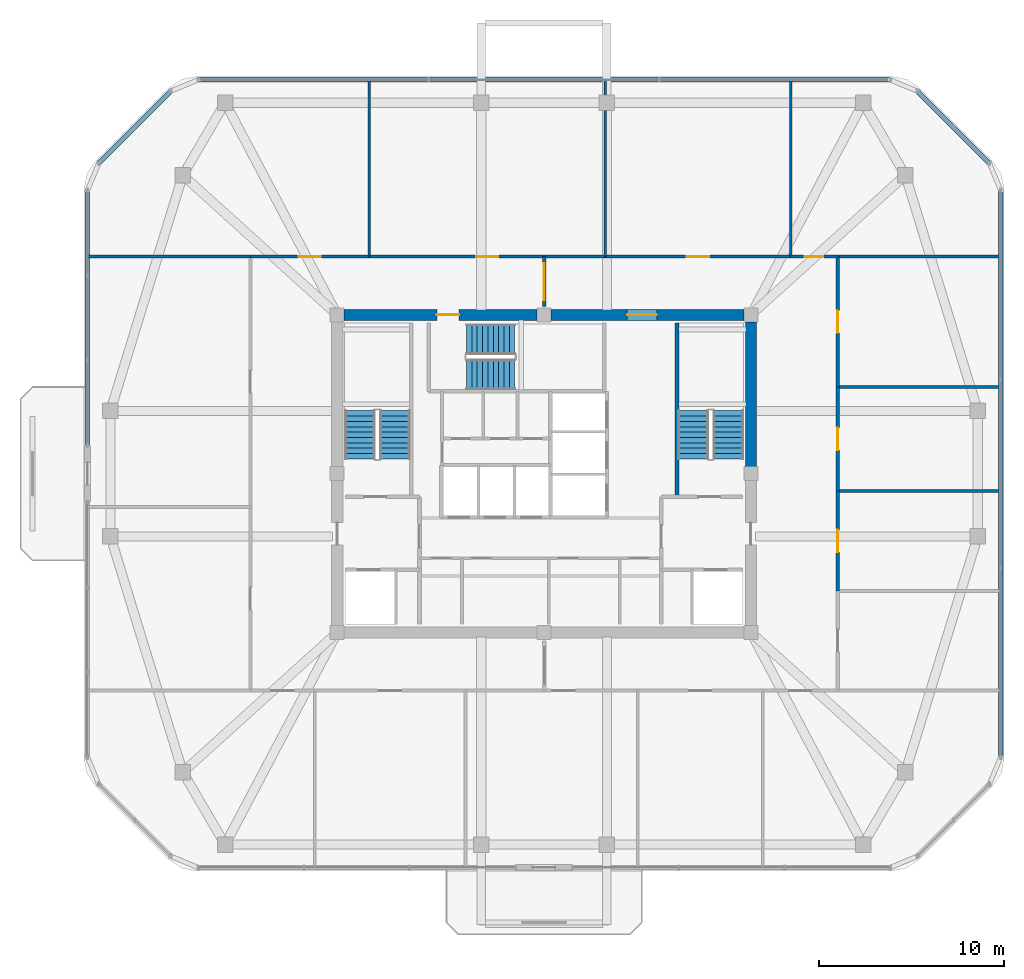
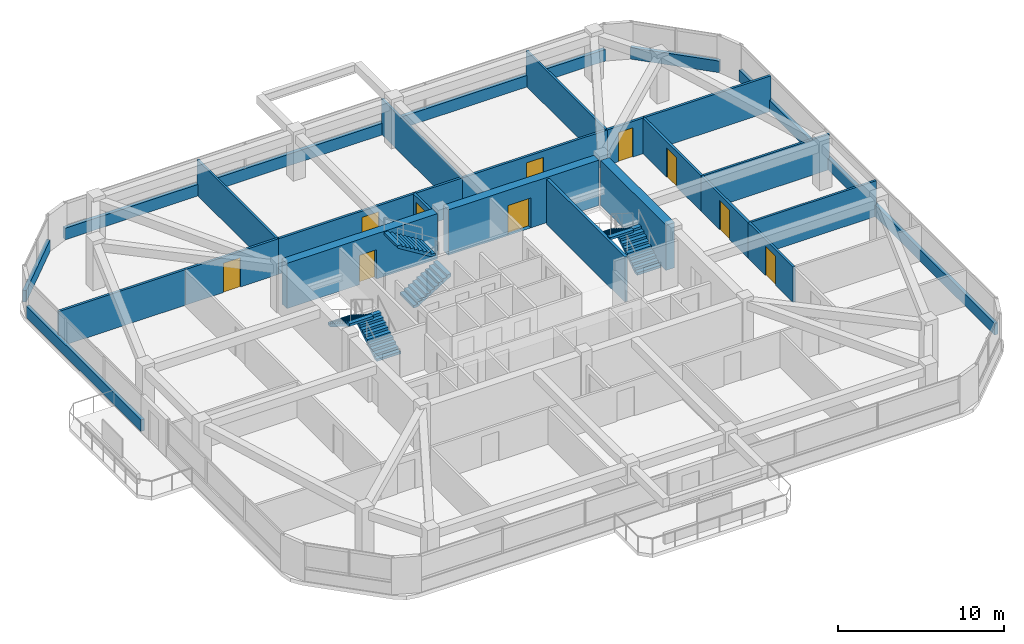
# One storey, part 10 of 12: 24 walls, 10 doors, 6 stair flights, 10 openings, 3 elements without a shape of their own.
"""IFC4 building model written with IfcOpenShell, lengths in metres."""

from ifc_helpers import new_model, si_unit, derived_unit, direction, frame, frame_2d, origin, place, context, subcontext, project, spatial, polyline, rectangle, outline, extrude, material, layer, layer_set, type_object, element, fill, aggregate, save


model = new_model("IFC4")

# Units and contexts
model_context = context("Model", 3, precision=1e-05, world=origin(), true_north=direction((0.0, 1.0)))
body_context = subcontext(model_context, "Body", "Model", "MODEL_VIEW")
ifc_project = project(units=[si_unit("LENGTHUNIT", "METRE"), si_unit("AREAUNIT", "SQUARE_METRE"), si_unit("VOLUMEUNIT", "CUBIC_METRE"), si_unit("PLANEANGLEUNIT", "RADIAN"), si_unit("MASSUNIT", "GRAM", prefix="KILO"), derived_unit("THERMALTRANSMITTANCEUNIT", [(si_unit("POWERUNIT", "WATT"), 1), (si_unit("LENGTHUNIT", "METRE"), -2), (si_unit("THERMODYNAMICTEMPERATUREUNIT", "KELVIN"), -1)])], contexts=[model_context])

# Site, building, storey
site_placement = place(None, origin())
site = spatial("IfcSite", under=ifc_project, at=site_placement, CompositionType="ELEMENT")
building_placement = place(site_placement, origin())
building = spatial("IfcBuilding", under=site, at=building_placement, Name="Koralith Skygarden Medical Center", CompositionType="ELEMENT")
storey_placement = place(building_placement, frame((0.0, 0.0, 278.820068359375)))
storey = spatial("IfcBuildingStorey", under=building, at=storey_placement, Name="L72", CompositionType="ELEMENT", Elevation=278.820068359375)

# Walls
ifc_material_1 = material(Name="Gypsum Board Partition")
ifc_layer_1 = layer(ifc_material_1, 0.14990234375)
ifc_layer_set_1 = layer_set([ifc_layer_1], Name="Gypsum Board Partition")
wall_type_1 = type_object("IfcWallType", Name="Clinical Acoustic Partition 150", PredefinedType="PARTITIONING", material=ifc_layer_set_1)
for number, where, z_axis, x_axis, name in (
    (1, (27.528076171875, 37.64990234375, 0.0), (0.0, 0.0, 1.0), (0.0, 1.0, 0.0), "L72 Clinical Acoustic Partition 150 W-PART-L72-N-01"),
    (2, (40.31494140625, 37.64990234375, 0.0), (0.0, 0.0, 1.0), (0.0, 1.0, 0.0), "L72 Clinical Acoustic Partition 150 W-PART-L72-N-02"),
    (3, (50.35009765625, 37.64990234375, 0.0), (0.0, 0.0, 1.0), (0.0, 1.0, 0.0), "L72 Clinical Acoustic Partition 150 W-PART-L72-N-03"),
):
    element("IfcWall", number, at=place(storey_placement, frame(where, z_axis=z_axis, x_axis=x_axis)), inside=storey, type_object=wall_type_1, Name=name, PredefinedType="PARTITIONING", context=body_context, shape_type="SweptSolid", body=[
        extrude(rectangle(XDim=9.550048828125, YDim=0.14990234375, at=frame_2d((4.77490234375, 0.0))), origin(), (0.0, 0.0, 1.0), 2.60986328125),
    ])
for number, where, z_axis, x_axis, name in (
    (4, (52.89990234375, 24.9599609375, 0.0), (0.0, 0.0, 1.0), (1.0, 0.0, 0.0), "L72 Clinical Acoustic Partition 150 W-PART-L72-E-02"),
    (5, (52.89990234375, 30.60009765625, 0.0), (0.0, 0.0, 1.0), (1.0, 0.0, 0.0), "L72 Clinical Acoustic Partition 150 W-PART-L72-E-03"),
):
    element("IfcWall", number, at=place(storey_placement, frame(where, z_axis=z_axis, x_axis=x_axis)), inside=storey, type_object=wall_type_1, Name=name, PredefinedType="PARTITIONING", context=body_context, shape_type="SweptSolid", body=[
        extrude(rectangle(XDim=8.800048828125, YDim=0.14990234375, at=frame_2d((4.39990234375, 0.0))), origin(), (0.0, 0.0, 1.0), 2.60986328125),
    ])
ifc_layer_2 = layer(ifc_material_1, 0.1650390625)
ifc_layer_set_2 = layer_set([ifc_layer_2], Name="Gypsum Board Partition")
wall_type_2 = type_object("IfcWallType", Name="Clinical Corridor Partition 165", PredefinedType="PARTITIONING", material=ifc_layer_set_2)
for number, where, z_axis, x_axis, name in (
    (6, (12.300048828125, 37.64990234375, 0.0), (0.0, 0.0, 1.0), (1.0, 0.0, 0.0), "L72 Clinical Corridor Partition 165 W-WB-L72-NW"),
    (7, (52.89990234375, 37.64990234375, 0.0), (0.0, 0.0, 1.0), (1.0, 0.0, 0.0), "L72 Clinical Corridor Partition 165 W-WB-L72-NE"),
):
    element("IfcWall", number, at=place(storey_placement, frame(where, z_axis=z_axis, x_axis=x_axis)), inside=storey, type_object=wall_type_2, Name=name, PredefinedType="PARTITIONING", context=body_context, shape_type="SweptSolid", body=[
        extrude(rectangle(XDim=8.800048828125, YDim=0.1650390625, at=frame_2d((4.39990234375, 0.0))), origin(), (0.0, 0.0, 1.0), 2.60986328125),
    ])

# Wall, opening, door
wall_1_placement = place(storey_placement, frame((21.10009765625, 37.64990234375, 0.0), z_axis=(0.0, 0.0, 1.0), x_axis=(1.0, 0.0, 0.0)))
wall_1 = element("IfcWall", 8, at=wall_1_placement, inside=storey, type_object=wall_type_2, Name="L72 Clinical Corridor Partition 165 W-CORR-L72-N-01", PredefinedType="PARTITIONING", context=body_context, shape_type="SweptSolid", body=[
    extrude(rectangle(XDim=6.427978515625, YDim=0.1650390625, at=frame_2d((3.2138671875, 0.0))), origin(), (0.0, 0.0, 1.0), 2.60986328125),
])
opening_1_placement = place(wall_1_placement, frame((2.614013671875, 0.0, 0.0)))
opening_1 = element("IfcOpeningElement", 9, at=opening_1_placement, cuts=wall_1, Name="Opening D-CLN", PredefinedType="OPENING", context=body_context, shape_type="SweptSolid", body=[
    extrude(rectangle(XDim=1.199951171875, YDim=2.14990234375, at=frame_2d((0.60009765625, 1.074951171875))), frame((0.0, 0.092529296875, 0.0), z_axis=(0.0, -1.0, 0.0), x_axis=(1.0, 0.0, 0.0)), (0.0, 0.0, 1.0), 0.18505859375),
])
ifc_material_2 = material(Name="Aluminium 6063-T6", Category="aluminium")
door_type_1 = type_object("IfcDoorType", Name="Clinical Corridor Door D-CLN 1200", OperationType="NOTDEFINED", PredefinedType="DOOR", material=ifc_material_2)
door_1_placement = place(opening_1_placement, origin())
door_1 = element("IfcDoor", 10, at=door_1_placement, inside=storey, type_object=door_type_1, Name="L72 Ethics Committee Conference Room 01 Door", OperationType="SINGLE_SWING_RIGHT", OverallHeight=2.14990234375, OverallWidth=1.199951171875, PredefinedType="DOOR", context=body_context, shape_type="SweptSolid", body=[
    extrude(rectangle(XDim=1.199951171875, YDim=2.14990234375, at=frame_2d((0.60009765625, 1.074951171875))), frame((0.0, 0.02490234375, 0.0), z_axis=(0.0, -1.0, 0.0), x_axis=(1.0, 0.0, 0.0)), (0.0, 0.0, 1.0), 0.050048828125),
])
fill(opening_1, door_1)

wall_2_placement = place(storey_placement, frame((27.528076171875, 37.64990234375, 0.0), z_axis=(0.0, 0.0, 1.0), x_axis=(1.0, 0.0, 0.0)))
wall_2 = element("IfcWall", 11, at=wall_2_placement, inside=storey, type_object=wall_type_2, Name="L72 Clinical Corridor Partition 165 W-CORR-L72-N-02", PredefinedType="PARTITIONING", context=body_context, shape_type="SweptSolid", body=[
    extrude(rectangle(XDim=12.786865234375, YDim=0.1650390625, at=frame_2d((6.3935546875, 0.0))), origin(), (0.0, 0.0, 1.0), 2.60986328125),
])
opening_2_placement = place(wall_2_placement, frame((5.79296875, 0.0, 0.0)))
opening_2 = element("IfcOpeningElement", 12, at=opening_2_placement, cuts=wall_2, Name="Opening D-CLN", PredefinedType="OPENING", context=body_context, shape_type="SweptSolid", body=[
    extrude(rectangle(XDim=1.199951171875, YDim=2.14990234375, at=frame_2d((0.60009765625, 1.074951171875))), frame((0.0, 0.092529296875, 0.0), z_axis=(0.0, -1.0, 0.0), x_axis=(1.0, 0.0, 0.0)), (0.0, 0.0, 1.0), 0.18505859375),
])
door_2_placement = place(opening_2_placement, origin())
door_2 = element("IfcDoor", 13, at=door_2_placement, inside=storey, type_object=door_type_1, Name="L72 Hospital Quality Huddle Room 02 Door", OperationType="SINGLE_SWING_LEFT", OverallHeight=2.14990234375, OverallWidth=1.199951171875, PredefinedType="DOOR", context=body_context, shape_type="SweptSolid", body=[
    extrude(rectangle(XDim=1.199951171875, YDim=2.14990234375, at=frame_2d((0.60009765625, 1.074951171875))), frame((0.0, 0.02490234375, 0.0), z_axis=(0.0, -1.0, 0.0), x_axis=(1.0, 0.0, 0.0)), (0.0, 0.0, 1.0), 0.050048828125),
])
fill(opening_2, door_2)

wall_3_placement = place(storey_placement, frame((40.31494140625, 37.64990234375, 0.0), z_axis=(0.0, 0.0, 1.0), x_axis=(1.0, 0.0, 0.0)))
wall_3 = element("IfcWall", 14, at=wall_3_placement, inside=storey, type_object=wall_type_2, Name="L72 Clinical Corridor Partition 165 W-CORR-L72-N-03", PredefinedType="PARTITIONING", context=body_context, shape_type="SweptSolid", body=[
    extrude(rectangle(XDim=10.03515625, YDim=0.1650390625, at=frame_2d((5.017578125, 0.0))), origin(), (0.0, 0.0, 1.0), 2.60986328125),
])
opening_3_placement = place(wall_3_placement, frame((4.41796875, 0.0, 0.0)))
opening_3 = element("IfcOpeningElement", 15, at=opening_3_placement, cuts=wall_3, Name="Opening D-CLN", PredefinedType="OPENING", context=body_context, shape_type="SweptSolid", body=[
    extrude(rectangle(XDim=1.199951171875, YDim=2.14990234375, at=frame_2d((0.60009765625, 1.074951171875))), frame((0.0, 0.092529296875, 0.0), z_axis=(0.0, -1.0, 0.0), x_axis=(1.0, 0.0, 0.0)), (0.0, 0.0, 1.0), 0.18505859375),
])
door_3_placement = place(opening_3_placement, origin())
door_3 = element("IfcDoor", 16, at=door_3_placement, inside=storey, type_object=door_type_1, Name="L72 Physician Reading Lounge 03 Door", OperationType="SINGLE_SWING_RIGHT", OverallHeight=2.14990234375, OverallWidth=1.199951171875, PredefinedType="DOOR", context=body_context, shape_type="SweptSolid", body=[
    extrude(rectangle(XDim=1.199951171875, YDim=2.14990234375, at=frame_2d((0.60009765625, 1.074951171875))), frame((0.0, 0.02490234375, 0.0), z_axis=(0.0, -1.0, 0.0), x_axis=(1.0, 0.0, 0.0)), (0.0, 0.0, 1.0), 0.050048828125),
])
fill(opening_3, door_3)

wall_4_placement = place(storey_placement, frame((50.35009765625, 37.64990234375, 0.0), z_axis=(0.0, 0.0, 1.0), x_axis=(1.0, 0.0, 0.0)))
wall_4 = element("IfcWall", 17, at=wall_4_placement, inside=storey, type_object=wall_type_2, Name="L72 Clinical Corridor Partition 165 W-CORR-L72-N-04", PredefinedType="PARTITIONING", context=body_context, shape_type="SweptSolid", body=[
    extrude(rectangle(XDim=2.5498046875, YDim=0.1650390625, at=frame_2d((1.27490234375, 0.0))), origin(), (0.0, 0.0, 1.0), 2.60986328125),
])
opening_4_placement = place(wall_4_placement, frame((0.77490234375, 0.0, 0.0)))
opening_4 = element("IfcOpeningElement", 18, at=opening_4_placement, cuts=wall_4, Name="Opening D-SUP", PredefinedType="OPENING", context=body_context, shape_type="SweptSolid", body=[
    extrude(rectangle(XDim=1.0, YDim=2.14990234375, at=frame_2d((0.5, 1.074951171875))), frame((0.0, 0.092529296875, 0.0), z_axis=(0.0, -1.0, 0.0), x_axis=(1.0, 0.0, 0.0)), (0.0, 0.0, 1.0), 0.18505859375),
])
door_type_2 = type_object("IfcDoorType", Name="Clinical Support Door D-SUP 1000", OperationType="NOTDEFINED", PredefinedType="DOOR", material=ifc_material_2)
door_4_placement = place(opening_4_placement, origin())
door_4 = element("IfcDoor", 19, at=door_4_placement, inside=storey, type_object=door_type_2, Name="L72 Clinical Consultation Office 04 Door", OperationType="SINGLE_SWING_LEFT", OverallHeight=2.14990234375, OverallWidth=1.0, PredefinedType="DOOR", context=body_context, shape_type="SweptSolid", body=[
    extrude(rectangle(XDim=1.0, YDim=2.14990234375, at=frame_2d((0.5, 1.074951171875))), frame((0.0, 0.02490234375, 0.0), z_axis=(0.0, -1.0, 0.0), x_axis=(1.0, 0.0, 0.0)), (0.0, 0.0, 1.0), 0.050048828125),
])
fill(opening_4, door_4)

wall_5_placement = place(storey_placement, frame((52.89990234375, 19.554931640625, 0.0), z_axis=(0.0, 0.0, 1.0), x_axis=(0.0, 1.0, 0.0)))
wall_5 = element("IfcWall", 20, at=wall_5_placement, inside=storey, type_object=wall_type_2, Name="L72 Clinical Corridor Partition 165 W-CORR-L72-E-02", PredefinedType="PARTITIONING", context=body_context, shape_type="SweptSolid", body=[
    extrude(rectangle(XDim=5.405029296875, YDim=0.1650390625, at=frame_2d((2.70263671875, 0.0))), origin(), (0.0, 0.0, 1.0), 2.60986328125),
])
opening_5_placement = place(wall_5_placement, frame((2.10302734375, 0.0, 0.0)))
opening_5 = element("IfcOpeningElement", 21, at=opening_5_placement, cuts=wall_5, Name="Opening D-CLN", PredefinedType="OPENING", context=body_context, shape_type="SweptSolid", body=[
    extrude(rectangle(XDim=1.199951171875, YDim=2.14990234375, at=frame_2d((0.60009765625, 1.074951171875))), frame((0.0, 0.092529296875, 0.0), z_axis=(0.0, -1.0, 0.0), x_axis=(1.0, 0.0, 0.0)), (0.0, 0.0, 1.0), 0.18505859375),
])
door_5_placement = place(opening_5_placement, origin())
door_5 = element("IfcDoor", 22, at=door_5_placement, inside=storey, type_object=door_type_1, Name="L72 Physician Reading Lounge 13 Door", OperationType="SINGLE_SWING_RIGHT", OverallHeight=2.14990234375, OverallWidth=1.199951171875, PredefinedType="DOOR", context=body_context, shape_type="SweptSolid", body=[
    extrude(rectangle(XDim=1.199951171875, YDim=2.14990234375, at=frame_2d((0.60009765625, 1.074951171875))), frame((0.0, 0.02490234375, 0.0), z_axis=(0.0, -1.0, 0.0), x_axis=(1.0, 0.0, 0.0)), (0.0, 0.0, 1.0), 0.050048828125),
])
fill(opening_5, door_5)

wall_6_placement = place(storey_placement, frame((52.89990234375, 24.9599609375, 0.0), z_axis=(0.0, 0.0, 1.0), x_axis=(0.0, 1.0, 0.0)))
wall_6 = element("IfcWall", 23, at=wall_6_placement, inside=storey, type_object=wall_type_2, Name="L72 Clinical Corridor Partition 165 W-CORR-L72-E-03", PredefinedType="PARTITIONING", context=body_context, shape_type="SweptSolid", body=[
    extrude(rectangle(XDim=5.64013671875, YDim=0.1650390625, at=frame_2d((2.820068359375, 0.0))), origin(), (0.0, 0.0, 1.0), 2.60986328125),
])
opening_6_placement = place(wall_6_placement, frame((2.219970703125, 0.0, 0.0)))
opening_6 = element("IfcOpeningElement", 24, at=opening_6_placement, cuts=wall_6, Name="Opening D-CLN", PredefinedType="OPENING", context=body_context, shape_type="SweptSolid", body=[
    extrude(rectangle(XDim=1.199951171875, YDim=2.14990234375, at=frame_2d((0.60009765625, 1.074951171875))), frame((0.0, 0.092529296875, 0.0), z_axis=(0.0, -1.0, 0.0), x_axis=(1.0, 0.0, 0.0)), (0.0, 0.0, 1.0), 0.18505859375),
])
door_6_placement = place(opening_6_placement, origin())
door_6 = element("IfcDoor", 25, at=door_6_placement, inside=storey, type_object=door_type_1, Name="L72 Clinical Consultation Office 14 Door", OperationType="SINGLE_SWING_LEFT", OverallHeight=2.14990234375, OverallWidth=1.199951171875, PredefinedType="DOOR", context=body_context, shape_type="SweptSolid", body=[
    extrude(rectangle(XDim=1.199951171875, YDim=2.14990234375, at=frame_2d((0.60009765625, 1.074951171875))), frame((0.0, 0.02490234375, 0.0), z_axis=(0.0, -1.0, 0.0), x_axis=(1.0, 0.0, 0.0)), (0.0, 0.0, 1.0), 0.050048828125),
])
fill(opening_6, door_6)

wall_7_placement = place(storey_placement, frame((52.89990234375, 30.60009765625, 0.0), z_axis=(0.0, 0.0, 1.0), x_axis=(0.0, 1.0, 0.0)))
wall_7 = element("IfcWall", 26, at=wall_7_placement, inside=storey, type_object=wall_type_2, Name="L72 Clinical Corridor Partition 165 W-CORR-L72-E-04", PredefinedType="PARTITIONING", context=body_context, shape_type="SweptSolid", body=[
    extrude(rectangle(XDim=7.0498046875, YDim=0.1650390625, at=frame_2d((3.52490234375, 0.0))), origin(), (0.0, 0.0, 1.0), 2.60986328125),
])
opening_7_placement = place(wall_7_placement, frame((2.925048828125, 0.0, 0.0)))
opening_7 = element("IfcOpeningElement", 27, at=opening_7_placement, cuts=wall_7, Name="Opening D-CLN", PredefinedType="OPENING", context=body_context, shape_type="SweptSolid", body=[
    extrude(rectangle(XDim=1.199951171875, YDim=2.14990234375, at=frame_2d((0.60009765625, 1.074951171875))), frame((0.0, 0.092529296875, 0.0), z_axis=(0.0, -1.0, 0.0), x_axis=(1.0, 0.0, 0.0)), (0.0, 0.0, 1.0), 0.18505859375),
])
door_7_placement = place(opening_7_placement, origin())
door_7 = element("IfcDoor", 28, at=door_7_placement, inside=storey, type_object=door_type_1, Name="L72 Ethics Committee Conference Room 15 Door", OperationType="SINGLE_SWING_RIGHT", OverallHeight=2.14990234375, OverallWidth=1.199951171875, PredefinedType="DOOR", context=body_context, shape_type="SweptSolid", body=[
    extrude(rectangle(XDim=1.199951171875, YDim=2.14990234375, at=frame_2d((0.60009765625, 1.074951171875))), frame((0.0, 0.02490234375, 0.0), z_axis=(0.0, -1.0, 0.0), x_axis=(1.0, 0.0, 0.0)), (0.0, 0.0, 1.0), 0.050048828125),
])
fill(opening_7, door_7)

ifc_layer_3 = layer(ifc_material_1, 0.179931640625)
ifc_layer_set_3 = layer_set([ifc_layer_3], Name="Gypsum Board Partition")
wall_type_3 = type_object("IfcWallType", Name="Group I-2 Smoke Barrier Wall 180", PredefinedType="PARTITIONING", material=ifc_layer_set_3)
wall_8_placement = place(storey_placement, frame((37.0, 34.949951171875, 0.0), z_axis=(0.0, 0.0, 1.0), x_axis=(0.0, 1.0, 0.0)))
wall_8 = element("IfcWall", 29, at=wall_8_placement, inside=storey, type_object=wall_type_3, Name="L72 Group I-2 Smoke Barrier Wall 180 W-SMK-L72-N", PredefinedType="PARTITIONING", context=body_context, shape_type="SweptSolid", body=[
    extrude(rectangle(XDim=2.699951171875, YDim=0.179931640625, at=frame_2d((1.35009765625, 0.0))), origin(), (0.0, 0.0, 1.0), 2.60986328125),
])
opening_8_placement = place(wall_8_placement, frame((0.35009765625, 0.0, 0.0)))
opening_8 = element("IfcOpeningElement", 30, at=opening_8_placement, cuts=wall_8, Name="Opening D-SMK", PredefinedType="OPENING", context=body_context, shape_type="SweptSolid", body=[
    extrude(rectangle(XDim=2.0, YDim=2.199951171875, at=frame_2d((1.0, 1.10009765625))), frame((0.0, 0.099853515625, 0.0), z_axis=(0.0, -1.0, 0.0), x_axis=(1.0, 0.0, 0.0)), (0.0, 0.0, 1.0), 0.199951171875),
])
ifc_material_3 = material(Name="Steel ASTM A500 Grade C", Category="steel")
door_type_3 = type_object("IfcDoorType", Name="Cross-Corridor Double Smoke Door FD60S 2000", OperationType="NOTDEFINED", PredefinedType="DOOR", material=ifc_material_3)
door_8_placement = place(opening_8_placement, origin())
door_8 = element("IfcDoor", 31, at=door_8_placement, inside=storey, type_object=door_type_3, Name="L72 N Smoke Compartment Cross-Corridor Door", OperationType="DOUBLE_DOOR_SINGLE_SWING", OverallHeight=2.199951171875, OverallWidth=2.0, PredefinedType="DOOR", context=body_context, shape_type="SweptSolid", body=[
    extrude(rectangle(XDim=2.0, YDim=2.199951171875, at=frame_2d((1.0, 1.10009765625))), frame((0.0, 0.02490234375, 0.0), z_axis=(0.0, -1.0, 0.0), x_axis=(1.0, 0.0, 0.0)), (0.0, 0.0, 1.0), 0.050048828125),
])
fill(opening_8, door_8)

# Walls
ifc_material_4 = material(Name="Warm Oolitic Limestone Cladding", Category="masonry")
ifc_layer_4 = layer(ifc_material_4, 0.239990234375)
ifc_layer_set_4 = layer_set([ifc_layer_4], Name="Warm Oolitic Limestone Cladding")
wall_type_4 = type_object("IfcWallType", Name="Limestone Spandrel Sill Backup Wall 240", PredefinedType="SOLIDWALL", material=ifc_layer_set_4)
wall_9_placement = place(storey_placement, frame((61.719970703125, 10.554931640625, 0.0), z_axis=(0.0, 0.0, 1.0), x_axis=(0.0, 1.0, 0.0)))
element("IfcWall", 32, at=wall_9_placement, inside=storey, type_object=wall_type_4, Name="L72 Sill Spandrel E", PredefinedType="SOLIDWALL", context=body_context, shape_type="SweptSolid", body=[
    extrude(rectangle(XDim=30.690185546875, YDim=0.239990234375, at=frame_2d((15.34521484375, 0.0))), origin(), (0.0, 0.0, 1.0), 0.849853515625),
])
wall_10_placement = place(storey_placement, frame((61.118896484375, 42.696044921875, 0.0), z_axis=(0.0, 0.0, 1.0), x_axis=(-0.707106781187, 0.707106781187, 0.0)))
element("IfcWall", 33, at=wall_10_placement, inside=storey, type_object=wall_type_4, Name="L72 Sill Spandrel NE", PredefinedType="SOLIDWALL", context=body_context, shape_type="SweptSolid", body=[
    extrude(rectangle(XDim=5.5478515625, YDim=0.239990234375, at=frame_2d((2.77392578125, 0.0))), origin(), (0.0, 0.0, 1.0), 0.849853515625),
])
wall_11_placement = place(storey_placement, frame((55.7451171875, 47.219970703125, 0.0), z_axis=(0.0, 0.0, 1.0), x_axis=(-1.0, 0.0, 0.0)))
element("IfcWall", 34, at=wall_11_placement, inside=storey, type_object=wall_type_4, Name="L72 Sill Spandrel N", PredefinedType="SOLIDWALL", context=body_context, shape_type="SweptSolid", body=[
    extrude(rectangle(XDim=37.490234375, YDim=0.239990234375, at=frame_2d((18.7451171875, 0.0))), origin(), (0.0, 0.0, 1.0), 0.849853515625),
])
wall_12_placement = place(storey_placement, frame((16.803955078125, 46.618896484375, 0.0), z_axis=(0.0, 0.0, 1.0), x_axis=(-0.707106781187, -0.707106781187, 0.0)))
element("IfcWall", 35, at=wall_12_placement, inside=storey, type_object=wall_type_4, Name="L72 Sill Spandrel NW", PredefinedType="SOLIDWALL", context=body_context, shape_type="SweptSolid", body=[
    extrude(rectangle(XDim=5.5478515625, YDim=0.239990234375, at=frame_2d((2.77392578125, 0.0))), origin(), (0.0, 0.0, 1.0), 0.849853515625),
])
wall_13_placement = place(storey_placement, frame((12.280029296875, 41.2451171875, 0.0), z_axis=(0.0, 0.0, 1.0), x_axis=(0.0, -1.0, 0.0)))
element("IfcWall", 36, at=wall_13_placement, inside=storey, type_object=wall_type_4, Name="L72 Sill Spandrel W-L", PredefinedType="SOLIDWALL", context=body_context, shape_type="SweptSolid", body=[
    extrude(rectangle(XDim=13.80517578125, YDim=0.239990234375, at=frame_2d((6.902587890625, 0.0))), origin(), (0.0, 0.0, 1.0), 0.849853515625),
])
ifc_material_5 = material(Name="Concrete C45/55", Category="concrete")
ifc_layer_5 = layer(ifc_material_5, 0.199951171875)
ifc_layer_set_5 = layer_set([ifc_layer_5], Name="Concrete C45/55")
wall_type_5 = type_object("IfcWallType", Name="Structural Stair Shaft Wall 200", PredefinedType="SHEAR", material=ifc_layer_set_5)
wall_14_placement = place(storey_placement, frame((44.199951171875, 24.64990234375, 0.0), z_axis=(0.0, 0.0, 1.0), x_axis=(0.0, 1.0, 0.0)))
element("IfcWall", 37, at=wall_14_placement, inside=storey, type_object=wall_type_5, Name="L72 Structural Stair Shaft Wall 200 W-CORE-L72-ST2-W", PredefinedType="SHEAR", context=body_context, shape_type="SweptSolid", body=[
    extrude(rectangle(XDim=9.400146484375, YDim=0.199951171875, at=frame_2d((4.7001953125, 0.0))), origin(), (0.0, 0.0, 1.0), 3.31982421875),
])
ifc_material_6 = material(Name="Concrete C55/67", Category="concrete")
ifc_layer_6 = layer(ifc_material_6, 0.60009765625)
ifc_layer_set_6 = layer_set([ifc_layer_6], Name="Concrete C55/67")
wall_type_6 = type_object("IfcWallType", Name="Upper Core Shear Wall 600", PredefinedType="SHEAR", material=ifc_layer_set_6)
wall_15_placement = place(storey_placement, frame((48.199951171875, 26.27490234375, 0.0), z_axis=(0.0, 0.0, 1.0), x_axis=(0.0, 1.0, 0.0)))
element("IfcWall", 38, at=wall_15_placement, inside=storey, type_object=wall_type_6, Name="L72 Core Shear Wall Segment 4", PredefinedType="SHEAR", context=body_context, shape_type="SweptSolid", body=[
    extrude(rectangle(XDim=7.85009765625, YDim=0.60009765625, at=frame_2d((3.925048828125, 0.0))), origin(), (0.0, 0.0, 1.0), 3.31982421875),
])

# Wall, opening, door
wall_16_placement = place(storey_placement, frame((47.824951171875, 34.5, 0.0), z_axis=(0.0, 0.0, 1.0), x_axis=(-1.0, 0.0, 0.0)))
wall_16 = element("IfcWall", 39, at=wall_16_placement, inside=storey, type_object=wall_type_6, Name="L72 Core Shear Wall Segment 5", PredefinedType="SHEAR", context=body_context, shape_type="SweptSolid", body=[
    extrude(rectangle(XDim=10.449951171875, YDim=0.60009765625, at=frame_2d((5.22509765625, 0.0))), origin(), (0.0, 0.0, 1.0), 3.31982421875),
])
opening_9_placement = place(wall_16_placement, frame((4.72509765625, 0.0, 0.0)))
opening_9 = element("IfcOpeningElement", 40, at=opening_9_placement, cuts=wall_16, Name="Opening D-DBL", PredefinedType="OPENING", context=body_context, shape_type="SweptSolid", body=[
    extrude(rectangle(XDim=1.60009765625, YDim=2.199951171875, at=frame_2d((0.800048828125, 1.10009765625))), frame((0.0, 0.31005859375, 0.0), z_axis=(0.0, -1.0, 0.0), x_axis=(1.0, 0.0, 0.0)), (0.0, 0.0, 1.0), 0.6201171875),
])
door_type_4 = type_object("IfcDoorType", Name="Double Clinical Suite Door D-DBL 1600", OperationType="NOTDEFINED", PredefinedType="DOOR", material=ifc_material_2)
door_9_placement = place(opening_9_placement, frame((1.60009765625, 0.0, 0.0), z_axis=(0.0, 0.0, 1.0), x_axis=(-1.0, 0.0, 0.0)))
door_9 = element("IfcDoor", 41, at=door_9_placement, inside=storey, type_object=door_type_4, Name="L72 North-East Corridor to Elevator Lobby Door", OperationType="DOUBLE_DOOR_SINGLE_SWING", OverallHeight=2.199951171875, OverallWidth=1.60009765625, PredefinedType="DOOR", context=body_context, shape_type="SweptSolid", body=[
    extrude(rectangle(XDim=1.60009765625, YDim=2.199951171875, at=frame_2d((0.800048828125, 1.10009765625))), frame((0.0, 0.02490234375, 0.0), z_axis=(0.0, -1.0, 0.0), x_axis=(1.0, 0.0, 0.0)), (0.0, 0.0, 1.0), 0.050048828125),
])
fill(opening_9, door_9)

wall_17_placement = place(storey_placement, frame((36.625, 34.5, 0.0), z_axis=(0.0, 0.0, 1.0), x_axis=(-1.0, 0.0, 0.0)))
wall_17 = element("IfcWall", 42, at=wall_17_placement, inside=storey, type_object=wall_type_6, Name="L72 Core Shear Wall Segment 6", PredefinedType="SHEAR", context=body_context, shape_type="SweptSolid", body=[
    extrude(rectangle(XDim=10.449951171875, YDim=0.60009765625, at=frame_2d((5.22509765625, 0.0))), origin(), (0.0, 0.0, 1.0), 3.31982421875),
])
opening_10_placement = place(wall_17_placement, frame((4.22509765625, 0.0, 0.0)))
opening_10 = element("IfcOpeningElement", 43, at=opening_10_placement, cuts=wall_17, Name="Opening D-ST60", PredefinedType="OPENING", context=body_context, shape_type="SweptSolid", body=[
    extrude(rectangle(XDim=1.199951171875, YDim=2.14990234375, at=frame_2d((0.60009765625, 1.074951171875))), frame((0.0, 0.31005859375, 0.0), z_axis=(0.0, -1.0, 0.0), x_axis=(1.0, 0.0, 0.0)), (0.0, 0.0, 1.0), 0.6201171875),
])
door_type_5 = type_object("IfcDoorType", Name="Smokeproof Stair Fire Door FD60S 1200", OperationType="NOTDEFINED", PredefinedType="DOOR", material=ifc_material_3)
door_10_placement = place(opening_10_placement, frame((1.199951171875, 0.0, 0.0), z_axis=(0.0, 0.0, 1.0), x_axis=(-1.0, 0.0, 0.0)))
door_10 = element("IfcDoor", 44, at=door_10_placement, inside=storey, type_object=door_type_5, Name="L72 Exit Stair ST3 Fire Door", OperationType="SINGLE_SWING_LEFT", OverallHeight=2.14990234375, OverallWidth=1.199951171875, PredefinedType="DOOR", context=body_context, shape_type="SweptSolid", body=[
    extrude(rectangle(XDim=1.199951171875, YDim=2.14990234375, at=frame_2d((0.60009765625, 1.074951171875))), frame((0.0, 0.02490234375, 0.0), z_axis=(0.0, -1.0, 0.0), x_axis=(1.0, 0.0, 0.0)), (0.0, 0.0, 1.0), 0.050048828125),
])
fill(opening_10, door_10)

# Stair, stair flights
stair_type = type_object("IfcStairType", Name="Core Exit Dogleg Concrete Stair", PredefinedType="HALF_TURN_STAIR", material=ifc_material_5)
stair_1_placement = place(storey_placement, origin())
stair_1 = element("IfcStair", 45, at=stair_1_placement, inside=storey, type_object=stair_type, Name="L72 Smokeproof Exit Stair ST1", PredefinedType="HALF_TURN_STAIR")
stair_flight_type = type_object("IfcStairFlightType", Name="Core Exit Concrete Stair Flight 1650", PredefinedType="STRAIGHT", material=ifc_material_5)
stair_flight_1_placement = place(storey_placement, frame((28.925048828125, 26.699951171875, 0.0), z_axis=(0.0, 0.0, 1.0), x_axis=(0.0, 1.0, 0.0)))
stair_flight_1 = element("IfcStairFlight", 46, at=stair_flight_1_placement, type_object=stair_flight_type, Name="ST1 flight 1", NumberOfRisers=10, NumberOfTreads=9, PredefinedType="STRAIGHT", RiserHeight=0.18, TreadLength=0.29, context=body_context, shape_type="SweptSolid", body=[
    extrude(outline(polyline([(0.0, 0.0), (0.0, 0.179931640625), (0.2900390625, 0.179931640625), (0.2900390625, 0.360107421875), (0.580078125, 0.360107421875), (0.580078125, 0.5400390625), (0.8701171875, 0.5400390625), (0.8701171875, 0.719970703125), (1.159912109375, 0.719970703125), (1.159912109375, 0.89990234375), (1.449951171875, 0.89990234375), (1.449951171875, 1.080078125), (1.739990234375, 1.080078125), (1.739990234375, 1.260009765625), (2.030029296875, 1.260009765625), (2.030029296875, 1.43994140625), (2.320068359375, 1.43994140625), (2.320068359375, 1.6201171875), (2.610107421875, 1.6201171875), (2.610107421875, 1.800048828125), (2.610107421875, 1.443603515625), (0.2841796875, 0.0), (0.0, 0.0)])), frame((0.0, 0.824951171875, 0.0), z_axis=(0.0, -1.0, 0.0), x_axis=(1.0, 0.0, 0.0)), (0.0, 0.0, 1.0), 1.64990234375),
])
stair_flight_2_placement = place(storey_placement, frame((27.02490234375, 29.31005859375, 1.800048828125), z_axis=(0.0, 0.0, 1.0), x_axis=(0.0, -1.0, 0.0)))
stair_flight_2 = element("IfcStairFlight", 47, at=stair_flight_2_placement, type_object=stair_flight_type, Name="ST1 flight 2", NumberOfRisers=10, NumberOfTreads=9, PredefinedType="STRAIGHT", RiserHeight=0.18, TreadLength=0.29, context=body_context, shape_type="SweptSolid", body=[
    extrude(outline(polyline([(0.0, 0.0), (0.0, 0.179931640625), (0.2900390625, 0.179931640625), (0.2900390625, 0.360107421875), (0.580078125, 0.360107421875), (0.580078125, 0.5400390625), (0.8701171875, 0.5400390625), (0.8701171875, 0.719970703125), (1.159912109375, 0.719970703125), (1.159912109375, 0.89990234375), (1.449951171875, 0.89990234375), (1.449951171875, 1.080078125), (1.739990234375, 1.080078125), (1.739990234375, 1.260009765625), (2.030029296875, 1.260009765625), (2.030029296875, 1.43994140625), (2.320068359375, 1.43994140625), (2.320068359375, 1.6201171875), (2.610107421875, 1.6201171875), (2.610107421875, 1.800048828125), (2.610107421875, 1.443603515625), (0.2841796875, 0.0), (0.0, 0.0)])), frame((0.0, 0.824951171875, 0.0), z_axis=(0.0, -1.0, 0.0), x_axis=(1.0, 0.0, 0.0)), (0.0, 0.0, 1.0), 1.64990234375),
])
aggregate(stair_1, [stair_flight_1, stair_flight_2])

stair_2_placement = place(storey_placement, origin())
stair_2 = element("IfcStair", 48, at=stair_2_placement, inside=storey, type_object=stair_type, Name="L72 Smokeproof Exit Stair ST2", PredefinedType="HALF_TURN_STAIR")
stair_flight_3_placement = place(storey_placement, frame((46.97509765625, 26.699951171875, 0.0), z_axis=(0.0, 0.0, 1.0), x_axis=(0.0, 1.0, 0.0)))
stair_flight_3 = element("IfcStairFlight", 49, at=stair_flight_3_placement, type_object=stair_flight_type, Name="ST2 flight 1", NumberOfRisers=10, NumberOfTreads=9, PredefinedType="STRAIGHT", RiserHeight=0.18, TreadLength=0.29, context=body_context, shape_type="SweptSolid", body=[
    extrude(outline(polyline([(0.0, 0.0), (0.0, 0.179931640625), (0.2900390625, 0.179931640625), (0.2900390625, 0.360107421875), (0.580078125, 0.360107421875), (0.580078125, 0.5400390625), (0.8701171875, 0.5400390625), (0.8701171875, 0.719970703125), (1.159912109375, 0.719970703125), (1.159912109375, 0.89990234375), (1.449951171875, 0.89990234375), (1.449951171875, 1.080078125), (1.739990234375, 1.080078125), (1.739990234375, 1.260009765625), (2.030029296875, 1.260009765625), (2.030029296875, 1.43994140625), (2.320068359375, 1.43994140625), (2.320068359375, 1.6201171875), (2.610107421875, 1.6201171875), (2.610107421875, 1.800048828125), (2.610107421875, 1.443603515625), (0.2841796875, 0.0), (0.0, 0.0)])), frame((0.0, 0.824951171875, 0.0), z_axis=(0.0, -1.0, 0.0), x_axis=(1.0, 0.0, 0.0)), (0.0, 0.0, 1.0), 1.64990234375),
])
stair_flight_4_placement = place(storey_placement, frame((45.074951171875, 29.31005859375, 1.800048828125), z_axis=(0.0, 0.0, 1.0), x_axis=(0.0, -1.0, 0.0)))
stair_flight_4 = element("IfcStairFlight", 50, at=stair_flight_4_placement, type_object=stair_flight_type, Name="ST2 flight 2", NumberOfRisers=10, NumberOfTreads=9, PredefinedType="STRAIGHT", RiserHeight=0.18, TreadLength=0.29, context=body_context, shape_type="SweptSolid", body=[
    extrude(outline(polyline([(0.0, 0.0), (0.0, 0.179931640625), (0.2900390625, 0.179931640625), (0.2900390625, 0.360107421875), (0.580078125, 0.360107421875), (0.580078125, 0.5400390625), (0.8701171875, 0.5400390625), (0.8701171875, 0.719970703125), (1.159912109375, 0.719970703125), (1.159912109375, 0.89990234375), (1.449951171875, 0.89990234375), (1.449951171875, 1.080078125), (1.739990234375, 1.080078125), (1.739990234375, 1.260009765625), (2.030029296875, 1.260009765625), (2.030029296875, 1.43994140625), (2.320068359375, 1.43994140625), (2.320068359375, 1.6201171875), (2.610107421875, 1.6201171875), (2.610107421875, 1.800048828125), (2.610107421875, 1.443603515625), (0.2841796875, 0.0), (0.0, 0.0)])), frame((0.0, 0.824951171875, 0.0), z_axis=(0.0, -1.0, 0.0), x_axis=(1.0, 0.0, 0.0)), (0.0, 0.0, 1.0), 1.64990234375),
])
aggregate(stair_2, [stair_flight_3, stair_flight_4])

stair_3_placement = place(storey_placement, origin())
stair_3 = element("IfcStair", 51, at=stair_3_placement, inside=storey, type_object=stair_type, Name="L72 Smokeproof Exit Stair ST3", PredefinedType="HALF_TURN_STAIR")
stair_flight_5_placement = place(storey_placement, frame((32.800048828125, 31.27490234375, 0.0), z_axis=(0.0, 0.0, 1.0), x_axis=(1.0, 0.0, 0.0)))
stair_flight_5 = element("IfcStairFlight", 52, at=stair_flight_5_placement, type_object=stair_flight_type, Name="ST3 flight 1", NumberOfRisers=10, NumberOfTreads=9, PredefinedType="STRAIGHT", RiserHeight=0.18, TreadLength=0.29, context=body_context, shape_type="SweptSolid", body=[
    extrude(outline(polyline([(0.0, 0.0), (0.0, 0.179931640625), (0.2900390625, 0.179931640625), (0.2900390625, 0.360107421875), (0.580078125, 0.360107421875), (0.580078125, 0.5400390625), (0.8701171875, 0.5400390625), (0.8701171875, 0.719970703125), (1.159912109375, 0.719970703125), (1.159912109375, 0.89990234375), (1.449951171875, 0.89990234375), (1.449951171875, 1.080078125), (1.739990234375, 1.080078125), (1.739990234375, 1.260009765625), (2.030029296875, 1.260009765625), (2.030029296875, 1.43994140625), (2.320068359375, 1.43994140625), (2.320068359375, 1.6201171875), (2.610107421875, 1.6201171875), (2.610107421875, 1.800048828125), (2.610107421875, 1.443603515625), (0.2841796875, 0.0), (0.0, 0.0)])), frame((0.0, 0.824951171875, 0.0), z_axis=(0.0, -1.0, 0.0), x_axis=(1.0, 0.0, 0.0)), (0.0, 0.0, 1.0), 1.64990234375),
])
stair_flight_6_placement = place(storey_placement, frame((35.409912109375, 33.175048828125, 1.800048828125), z_axis=(0.0, 0.0, 1.0), x_axis=(-1.0, 0.0, 0.0)))
stair_flight_6 = element("IfcStairFlight", 53, at=stair_flight_6_placement, type_object=stair_flight_type, Name="ST3 flight 2", NumberOfRisers=10, NumberOfTreads=9, PredefinedType="STRAIGHT", RiserHeight=0.18, TreadLength=0.29, context=body_context, shape_type="SweptSolid", body=[
    extrude(outline(polyline([(0.0, 0.0), (0.0, 0.179931640625), (0.2900390625, 0.179931640625), (0.2900390625, 0.360107421875), (0.580078125, 0.360107421875), (0.580078125, 0.5400390625), (0.8701171875, 0.5400390625), (0.8701171875, 0.719970703125), (1.159912109375, 0.719970703125), (1.159912109375, 0.89990234375), (1.449951171875, 0.89990234375), (1.449951171875, 1.080078125), (1.739990234375, 1.080078125), (1.739990234375, 1.260009765625), (2.030029296875, 1.260009765625), (2.030029296875, 1.43994140625), (2.320068359375, 1.43994140625), (2.320068359375, 1.6201171875), (2.610107421875, 1.6201171875), (2.610107421875, 1.800048828125), (2.610107421875, 1.443603515625), (0.2841796875, 0.0), (0.0, 0.0)])), frame((0.0, 0.824951171875, 0.0), z_axis=(0.0, -1.0, 0.0), x_axis=(1.0, 0.0, 0.0)), (0.0, 0.0, 1.0), 1.64990234375),
])
aggregate(stair_3, [stair_flight_5, stair_flight_6])

save(model, "model.ifc")
